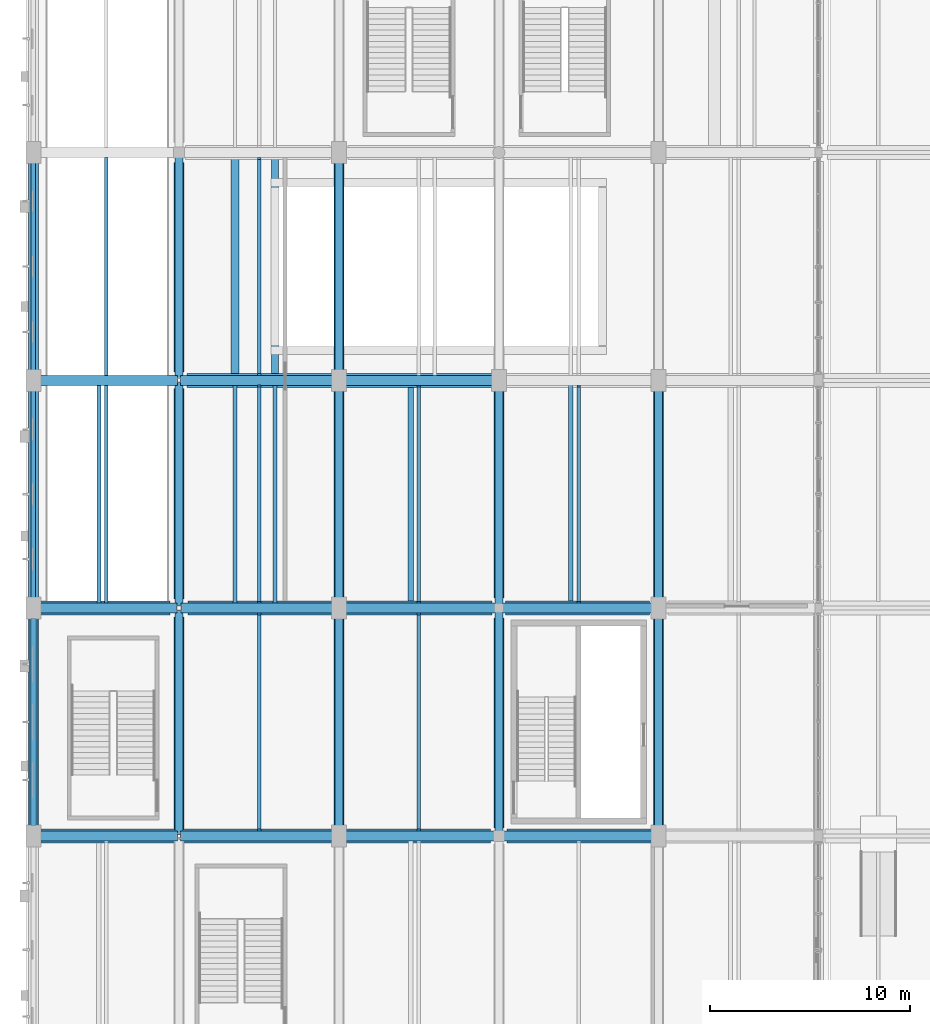
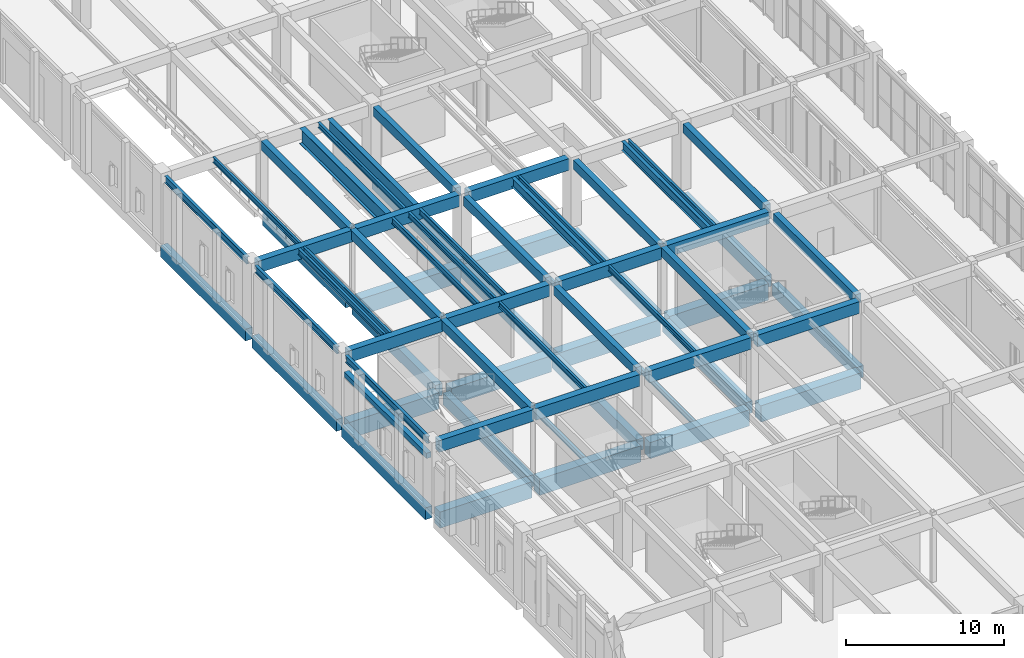
# One storey, part 27 of 113: 69 beams.
"""IFC4 building model written with IfcOpenShell, lengths in metres."""

from ifc_helpers import new_model, si_unit, direction, frame, origin, origin_2d, place, context, subcontext, project, spatial, rectangle, i_section, extrude, material, material_profile, profile_set, type_object, element, save


model = new_model("IFC4")

# Units and contexts
model_context = context("Model", 3, precision=1e-05, world=origin(), true_north=direction((0.0, 1.0)))
body_context = subcontext(model_context, "Body", "Model", "MODEL_VIEW")
ifc_project = project(units=[si_unit("LENGTHUNIT", "METRE"), si_unit("AREAUNIT", "SQUARE_METRE"), si_unit("VOLUMEUNIT", "CUBIC_METRE"), si_unit("PLANEANGLEUNIT", "RADIAN"), si_unit("MASSUNIT", "GRAM", prefix="KILO"), si_unit("POWERUNIT", "WATT"), si_unit("THERMODYNAMICTEMPERATUREUNIT", "KELVIN")], contexts=[model_context])

# Site, building, storey
site_placement = place(None, origin())
site = spatial("IfcSite", under=ifc_project, at=site_placement, CompositionType="ELEMENT")
building_placement = place(site_placement, origin())
building = spatial("IfcBuilding", under=site, at=building_placement, Name="Kelmbourne Parkland Aquatics Centre", CompositionType="ELEMENT")
storey_placement = place(building_placement, origin())
storey = spatial("IfcBuildingStorey", under=building, at=storey_placement, Name="L00", CompositionType="ELEMENT", Elevation=0.0)

# Beams
ifc_material_1 = material(Name="Concrete C40/50", Category="concrete")
ifc_material_profile_1 = material_profile(ifc_material_1, rectangle(XDim=0.5, YDim=0.89990234375, at=origin_2d()), Name="RC 500x900")
ifc_profile_set_1 = profile_set([ifc_material_profile_1], Name="Concrete C40/50")
beam_type_1 = type_object("IfcBeamType", Name="BM-G03", PredefinedType="BEAM", material=ifc_profile_set_1)
beam_1_placement = place(storey_placement, frame((0.699951171875, 35.5048828125, -0.72998046875), z_axis=(0.0, 1.0, 0.0), x_axis=(-1.0, 0.0, 0.0)))
element("IfcBeam", 1, at=beam_1_placement, inside=storey, type_object=beam_type_1, Name="Primary girder 05-06 Grid A (L00)", PredefinedType="BEAM", context=body_context, shape_type="SweptSolid", body=[
    extrude(rectangle(XDim=0.5, YDim=0.89990234375, at=origin_2d()), origin(), (0.0, 0.0, 1.0), 10.565185546875),
])
beam_2_placement = place(storey_placement, frame((0.699951171875, 46.72998046875, -0.72998046875), z_axis=(0.0, 1.0, 0.0), x_axis=(-1.0, 0.0, 0.0)))
element("IfcBeam", 2, at=beam_2_placement, inside=storey, type_object=beam_type_1, Name="Primary girder 06-08 Grid A (L00)", PredefinedType="BEAM", context=body_context, shape_type="SweptSolid", body=[
    extrude(rectangle(XDim=0.5, YDim=0.89990234375, at=origin_2d()), origin(), (0.0, 0.0, 1.0), 10.6650390625),
])
beam_3_placement = place(storey_placement, frame((0.699951171875, 58.205078125, -0.72998046875), z_axis=(0.0, 1.0, 0.0), x_axis=(-1.0, 0.0, 0.0)))
element("IfcBeam", 3, at=beam_3_placement, inside=storey, type_object=beam_type_1, Name="Primary girder 08-10 Grid A (L00)", PredefinedType="BEAM", context=body_context, shape_type="SweptSolid", body=[
    extrude(rectangle(XDim=0.5, YDim=0.89990234375, at=origin_2d()), origin(), (0.0, 0.0, 1.0), 10.71484375),
])
beam_4_placement = place(storey_placement, frame((8.0, 35.280029296875, -0.72998046875), z_axis=(0.0, 1.0, 0.0), x_axis=(-1.0, 0.0, 0.0)))
element("IfcBeam", 4, at=beam_4_placement, inside=storey, type_object=beam_type_1, Name="Primary girder 05-06 Grid B (L00)", PredefinedType="BEAM", context=body_context, shape_type="SweptSolid", body=[
    extrude(rectangle(XDim=0.5, YDim=0.89990234375, at=origin_2d()), origin(), (0.0, 0.0, 1.0), 10.6650390625),
])
beam_5_placement = place(storey_placement, frame((8.0, 46.85498046875, -0.72998046875), z_axis=(0.0, 1.0, 0.0), x_axis=(-1.0, 0.0, 0.0)))
element("IfcBeam", 5, at=beam_5_placement, inside=storey, type_object=beam_type_1, Name="Primary girder 06-08 Grid B (L00)", PredefinedType="BEAM", context=body_context, shape_type="SweptSolid", body=[
    extrude(rectangle(XDim=0.5, YDim=0.89990234375, at=origin_2d()), origin(), (0.0, 0.0, 1.0), 10.5400390625),
])
beam_6_placement = place(storey_placement, frame((8.0, 58.205078125, -0.72998046875), z_axis=(0.0, 1.0, 0.0), x_axis=(-1.0, 0.0, 0.0)))
element("IfcBeam", 6, at=beam_6_placement, inside=storey, type_object=beam_type_1, Name="Primary girder 08-10 Grid B (L00)", PredefinedType="BEAM", context=body_context, shape_type="SweptSolid", body=[
    extrude(rectangle(XDim=0.5, YDim=0.89990234375, at=origin_2d()), origin(), (0.0, 0.0, 1.0), 10.489990234375),
])
beam_7_placement = place(storey_placement, frame((16.0, 35.330078125, -0.72998046875), z_axis=(0.0, 1.0, 0.0), x_axis=(-1.0, 0.0, 0.0)))
element("IfcBeam", 7, at=beam_7_placement, inside=storey, type_object=beam_type_1, Name="Primary girder 05-06 Grid C (L00)", PredefinedType="BEAM", context=body_context, shape_type="SweptSolid", body=[
    extrude(rectangle(XDim=0.5, YDim=0.89990234375, at=origin_2d()), origin(), (0.0, 0.0, 1.0), 10.6650390625),
])
beam_8_placement = place(storey_placement, frame((16.0, 46.804931640625, -0.72998046875), z_axis=(0.0, 1.0, 0.0), x_axis=(-1.0, 0.0, 0.0)))
element("IfcBeam", 8, at=beam_8_placement, inside=storey, type_object=beam_type_1, Name="Primary girder 06-08 Grid C (L00)", PredefinedType="BEAM", context=body_context, shape_type="SweptSolid", body=[
    extrude(rectangle(XDim=0.5, YDim=0.89990234375, at=origin_2d()), origin(), (0.0, 0.0, 1.0), 10.715087890625),
])
beam_9_placement = place(storey_placement, frame((16.0, 58.080078125, -0.72998046875), z_axis=(0.0, 1.0, 0.0), x_axis=(-1.0, 0.0, 0.0)))
element("IfcBeam", 9, at=beam_9_placement, inside=storey, type_object=beam_type_1, Name="Primary girder 08-10 Grid C (L00)", PredefinedType="BEAM", context=body_context, shape_type="SweptSolid", body=[
    extrude(rectangle(XDim=0.5, YDim=0.89990234375, at=origin_2d()), origin(), (0.0, 0.0, 1.0), 10.6650390625),
])
beam_10_placement = place(storey_placement, frame((24.0, 35.405029296875, -0.72998046875), z_axis=(0.0, 1.0, 0.0), x_axis=(-1.0, 0.0, 0.0)))
element("IfcBeam", 10, at=beam_10_placement, inside=storey, type_object=beam_type_1, Name="Primary girder 05-06 Grid D (L00)", PredefinedType="BEAM", context=body_context, shape_type="SweptSolid", body=[
    extrude(rectangle(XDim=0.5, YDim=0.89990234375, at=origin_2d()), origin(), (0.0, 0.0, 1.0), 10.489990234375),
])
beam_11_placement = place(storey_placement, frame((24.0, 46.905029296875, -0.72998046875), z_axis=(0.0, 1.0, 0.0), x_axis=(-1.0, 0.0, 0.0)))
element("IfcBeam", 11, at=beam_11_placement, inside=storey, type_object=beam_type_1, Name="Primary girder 06-08 Grid D (L00)", PredefinedType="BEAM", context=body_context, shape_type="SweptSolid", body=[
    extrude(rectangle(XDim=0.5, YDim=0.89990234375, at=origin_2d()), origin(), (0.0, 0.0, 1.0), 10.56494140625),
])
beam_12_placement = place(storey_placement, frame((32.0, 35.280029296875, -0.72998046875), z_axis=(0.0, 1.0, 0.0), x_axis=(-1.0, 0.0, 0.0)))
element("IfcBeam", 12, at=beam_12_placement, inside=storey, type_object=beam_type_1, Name="Primary girder 05-06 Grid E (L00)", PredefinedType="BEAM", context=body_context, shape_type="SweptSolid", body=[
    extrude(rectangle(XDim=0.5, YDim=0.89990234375, at=origin_2d()), origin(), (0.0, 0.0, 1.0), 10.6650390625),
])
beam_13_placement = place(storey_placement, frame((32.0, 46.85498046875, -0.72998046875), z_axis=(0.0, 1.0, 0.0), x_axis=(-1.0, 0.0, 0.0)))
element("IfcBeam", 13, at=beam_13_placement, inside=storey, type_object=beam_type_1, Name="Primary girder 06-08 Grid E (L00)", PredefinedType="BEAM", context=body_context, shape_type="SweptSolid", body=[
    extrude(rectangle(XDim=0.5, YDim=0.89990234375, at=origin_2d()), origin(), (0.0, 0.0, 1.0), 10.5400390625),
])
beam_14_placement = place(storey_placement, frame((1.030029296875, 35.0, 4.7099609375), z_axis=(1.0, 0.0, 0.0), x_axis=(0.0, 1.0, 0.0)))
element("IfcBeam", 14, at=beam_14_placement, inside=storey, type_object=beam_type_1, Name="Primary girder A-B Grid 05 (L01)", PredefinedType="BEAM", context=body_context, shape_type="SweptSolid", body=[
    extrude(rectangle(XDim=0.5, YDim=0.89990234375, at=origin_2d()), origin(), (0.0, 0.0, 1.0), 6.8984375),
])
beam_15_placement = place(storey_placement, frame((8.071533203125, 35.0, 4.7099609375), z_axis=(1.0, 0.0, 0.0), x_axis=(0.0, 1.0, 0.0)))
element("IfcBeam", 15, at=beam_15_placement, inside=storey, type_object=beam_type_1, Name="Primary girder B-C Grid 05 (L01)", PredefinedType="BEAM", context=body_context, shape_type="SweptSolid", body=[
    extrude(rectangle(XDim=0.5, YDim=0.89990234375, at=origin_2d()), origin(), (0.0, 0.0, 1.0), 7.598388671875),
])
for number, where, z_axis, x_axis, name in (
    (16, (16.330078125, 35.0, 4.7099609375), (1.0, 0.0, 0.0), (0.0, 1.0, 0.0), "Primary girder C-D Grid 05 (L01)"),
    (17, (24.22998046875, 35.0, 4.7099609375), (1.0, 0.0, 0.0), (0.0, 1.0, 0.0), "Primary girder D-E Grid 05 (L01)"),
):
    element("IfcBeam", number, at=place(storey_placement, frame(where, z_axis=z_axis, x_axis=x_axis)), inside=storey, type_object=beam_type_1, Name=name, PredefinedType="BEAM", context=body_context, shape_type="SweptSolid", body=[
        extrude(rectangle(XDim=0.5, YDim=0.89990234375, at=origin_2d()), origin(), (0.0, 0.0, 1.0), 7.43994140625),
    ])
beam_16_placement = place(storey_placement, frame((1.030029296875, 46.39990234375, 4.7099609375), z_axis=(1.0, 0.0, 0.0), x_axis=(0.0, 1.0, 0.0)))
element("IfcBeam", 18, at=beam_16_placement, inside=storey, type_object=beam_type_1, Name="Primary girder A-B Grid 06 (L01)", PredefinedType="BEAM", context=body_context, shape_type="SweptSolid", body=[
    extrude(rectangle(XDim=0.5, YDim=0.89990234375, at=origin_2d()), origin(), (0.0, 0.0, 1.0), 6.864990234375),
])
beam_17_placement = place(storey_placement, frame((8.10498046875, 46.39990234375, 4.7099609375), z_axis=(1.0, 0.0, 0.0), x_axis=(0.0, 1.0, 0.0)))
element("IfcBeam", 19, at=beam_17_placement, inside=storey, type_object=beam_type_1, Name="Primary girder B-C Grid 06 (L01)", PredefinedType="BEAM", context=body_context, shape_type="SweptSolid", body=[
    extrude(rectangle(XDim=0.5, YDim=0.89990234375, at=origin_2d()), origin(), (0.0, 0.0, 1.0), 7.56494140625),
])
for number, where, z_axis, x_axis, name in (
    (20, (16.330078125, 46.39990234375, 4.7099609375), (1.0, 0.0, 0.0), (0.0, 1.0, 0.0), "Primary girder C-D Grid 06 (L01)"),
    (21, (24.179931640625, 46.39990234375, 4.7099609375), (1.0, 0.0, 0.0), (0.0, 1.0, 0.0), "Primary girder D-E Grid 06 (L01)"),
):
    element("IfcBeam", number, at=place(storey_placement, frame(where, z_axis=z_axis, x_axis=x_axis)), inside=storey, type_object=beam_type_1, Name=name, PredefinedType="BEAM", context=body_context, shape_type="SweptSolid", body=[
        extrude(rectangle(XDim=0.5, YDim=0.89990234375, at=origin_2d()), origin(), (0.0, 0.0, 1.0), 7.489990234375),
    ])
beam_18_placement = place(storey_placement, frame((1.030029296875, 57.800048828125, 4.7099609375), z_axis=(1.0, 0.0, 0.0), x_axis=(0.0, 1.0, 0.0)))
element("IfcBeam", 22, at=beam_18_placement, inside=storey, type_object=beam_type_1, Name="Primary girder A-B Grid 08 (L01)", PredefinedType="BEAM", context=body_context, shape_type="SweptSolid", body=[
    extrude(rectangle(XDim=0.5, YDim=0.89990234375, at=origin_2d()), origin(), (0.0, 0.0, 1.0), 6.889892578125),
])
beam_19_placement = place(storey_placement, frame((8.080078125, 57.800048828125, 4.7099609375), z_axis=(1.0, 0.0, 0.0), x_axis=(0.0, 1.0, 0.0)))
element("IfcBeam", 23, at=beam_19_placement, inside=storey, type_object=beam_type_1, Name="Primary girder B-C Grid 08 (L01)", PredefinedType="BEAM", context=body_context, shape_type="SweptSolid", body=[
    extrude(rectangle(XDim=0.5, YDim=0.89990234375, at=origin_2d()), origin(), (0.0, 0.0, 1.0), 7.58984375),
])
beam_20_placement = place(storey_placement, frame((16.330078125, 57.800048828125, 4.7099609375), z_axis=(1.0, 0.0, 0.0), x_axis=(0.0, 1.0, 0.0)))
element("IfcBeam", 24, at=beam_20_placement, inside=storey, type_object=beam_type_1, Name="Primary girder C-D Grid 08 (L01)", PredefinedType="BEAM", context=body_context, shape_type="SweptSolid", body=[
    extrude(rectangle(XDim=0.5, YDim=0.89990234375, at=origin_2d()), origin(), (0.0, 0.0, 1.0), 7.33984375),
])
ifc_material_profile_2 = material_profile(ifc_material_1, rectangle(XDim=0.39990234375, YDim=0.699951171875, at=origin_2d()), Name="RC 400x700")
ifc_profile_set_2 = profile_set([ifc_material_profile_2], Name="Concrete C40/50")
beam_type_2 = type_object("IfcBeamType", Name="BM-G05", PredefinedType="BEAM", material=ifc_profile_set_2)
beam_21_placement = place(storey_placement, frame((8.0, 35.071533203125, 4.81005859375), z_axis=(0.0, 1.0, 0.0), x_axis=(-1.0, 0.0, 0.0)))
element("IfcBeam", 25, at=beam_21_placement, inside=storey, type_object=beam_type_2, Name="Primary girder 05-06 Grid B (L01)", PredefinedType="BEAM", context=body_context, shape_type="SweptSolid", body=[
    extrude(rectangle(XDim=0.39990234375, YDim=0.699951171875, at=origin_2d()), origin(), (0.0, 0.0, 1.0), 11.223388671875),
])
beam_22_placement = place(storey_placement, frame((8.0, 46.5048828125, 4.81005859375), z_axis=(0.0, 1.0, 0.0), x_axis=(-1.0, 0.0, 0.0)))
element("IfcBeam", 26, at=beam_22_placement, inside=storey, type_object=beam_type_2, Name="Primary girder 06-08 Grid B (L01)", PredefinedType="BEAM", context=body_context, shape_type="SweptSolid", body=[
    extrude(rectangle(XDim=0.39990234375, YDim=0.699951171875, at=origin_2d()), origin(), (0.0, 0.0, 1.0), 11.215087890625),
])
beam_23_placement = place(storey_placement, frame((8.0, 57.8798828125, 4.81005859375), z_axis=(0.0, 1.0, 0.0), x_axis=(-1.0, 0.0, 0.0)))
element("IfcBeam", 27, at=beam_23_placement, inside=storey, type_object=beam_type_2, Name="Primary girder 08-10 Grid B (L01)", PredefinedType="BEAM", context=body_context, shape_type="SweptSolid", body=[
    extrude(rectangle(XDim=0.39990234375, YDim=0.699951171875, at=origin_2d()), origin(), (0.0, 0.0, 1.0), 11.090087890625),
])
beam_24_placement = place(storey_placement, frame((16.0, 35.5048828125, 4.81005859375), z_axis=(0.0, 1.0, 0.0), x_axis=(-1.0, 0.0, 0.0)))
element("IfcBeam", 28, at=beam_24_placement, inside=storey, type_object=beam_type_2, Name="Primary girder 05-06 Grid C (L01)", PredefinedType="BEAM", context=body_context, shape_type="SweptSolid", body=[
    extrude(rectangle(XDim=0.39990234375, YDim=0.699951171875, at=origin_2d()), origin(), (0.0, 0.0, 1.0), 10.39013671875),
])
beam_25_placement = place(storey_placement, frame((16.0, 46.905029296875, 4.81005859375), z_axis=(0.0, 1.0, 0.0), x_axis=(-1.0, 0.0, 0.0)))
element("IfcBeam", 29, at=beam_25_placement, inside=storey, type_object=beam_type_2, Name="Primary girder 06-08 Grid C (L01)", PredefinedType="BEAM", context=body_context, shape_type="SweptSolid", body=[
    extrude(rectangle(XDim=0.39990234375, YDim=0.699951171875, at=origin_2d()), origin(), (0.0, 0.0, 1.0), 10.389892578125),
])
beam_26_placement = place(storey_placement, frame((16.0, 58.304931640625, 4.81005859375), z_axis=(0.0, 1.0, 0.0), x_axis=(-1.0, 0.0, 0.0)))
element("IfcBeam", 30, at=beam_26_placement, inside=storey, type_object=beam_type_2, Name="Primary girder 08-10 Grid C (L01)", PredefinedType="BEAM", context=body_context, shape_type="SweptSolid", body=[
    extrude(rectangle(XDim=0.39990234375, YDim=0.699951171875, at=origin_2d()), origin(), (0.0, 0.0, 1.0), 10.39013671875),
])
beam_27_placement = place(storey_placement, frame((24.0, 35.22998046875, 4.81005859375), z_axis=(0.0, 1.0, 0.0), x_axis=(-1.0, 0.0, 0.0)))
element("IfcBeam", 31, at=beam_27_placement, inside=storey, type_object=beam_type_2, Name="Primary girder 05-06 Grid D (L01)", PredefinedType="BEAM", context=body_context, shape_type="SweptSolid", body=[
    extrude(rectangle(XDim=0.39990234375, YDim=0.699951171875, at=origin_2d()), origin(), (0.0, 0.0, 1.0), 10.989990234375),
])
beam_28_placement = place(storey_placement, frame((24.0, 46.580078125, 4.81005859375), z_axis=(0.0, 1.0, 0.0), x_axis=(-1.0, 0.0, 0.0)))
element("IfcBeam", 32, at=beam_28_placement, inside=storey, type_object=beam_type_2, Name="Primary girder 06-08 Grid D (L01)", PredefinedType="BEAM", context=body_context, shape_type="SweptSolid", body=[
    extrude(rectangle(XDim=0.39990234375, YDim=0.699951171875, at=origin_2d()), origin(), (0.0, 0.0, 1.0), 10.71484375),
])
beam_29_placement = place(storey_placement, frame((32.0, 35.5048828125, 4.81005859375), z_axis=(0.0, 1.0, 0.0), x_axis=(-1.0, 0.0, 0.0)))
element("IfcBeam", 33, at=beam_29_placement, inside=storey, type_object=beam_type_2, Name="Primary girder 05-06 Grid E (L01)", PredefinedType="BEAM", context=body_context, shape_type="SweptSolid", body=[
    extrude(rectangle(XDim=0.39990234375, YDim=0.699951171875, at=origin_2d()), origin(), (0.0, 0.0, 1.0), 10.39013671875),
])
beam_30_placement = place(storey_placement, frame((32.0, 46.905029296875, 4.81005859375), z_axis=(0.0, 1.0, 0.0), x_axis=(-1.0, 0.0, 0.0)))
element("IfcBeam", 34, at=beam_30_placement, inside=storey, type_object=beam_type_2, Name="Primary girder 06-08 Grid E (L01)", PredefinedType="BEAM", context=body_context, shape_type="SweptSolid", body=[
    extrude(rectangle(XDim=0.39990234375, YDim=0.699951171875, at=origin_2d()), origin(), (0.0, 0.0, 1.0), 10.389892578125),
])
ifc_material_2 = material(Name="Concrete C50/60", Category="concrete")
ifc_material_profile_3 = material_profile(ifc_material_2, rectangle(XDim=0.699951171875, YDim=1.25, at=origin_2d()), Name="RC 700x1250")
ifc_profile_set_3 = profile_set([ifc_material_profile_3], Name="Concrete C50/60")
beam_type_3 = type_object("IfcBeamType", Name="BM-G08", PredefinedType="BEAM", material=ifc_profile_set_3)
beam_31_placement = place(storey_placement, frame((1.030029296875, 35.0, -0.905029296875), z_axis=(1.0, 0.0, 0.0), x_axis=(0.0, 1.0, 0.0)))
element("IfcBeam", 35, at=beam_31_placement, inside=storey, type_object=beam_type_3, Name="Primary girder A-B Grid 05 (L00)", PredefinedType="BEAM", context=body_context, shape_type="SweptSolid", body=[
    extrude(rectangle(XDim=0.699951171875, YDim=1.25, at=origin_2d()), origin(), (0.0, 0.0, 1.0), 6.68994140625),
])
beam_32_placement = place(storey_placement, frame((8.280029296875, 35.0, -0.905029296875), z_axis=(1.0, 0.0, 0.0), x_axis=(0.0, 1.0, 0.0)))
element("IfcBeam", 36, at=beam_32_placement, inside=storey, type_object=beam_type_3, Name="Primary girder B-C Grid 05 (L00)", PredefinedType="BEAM", context=body_context, shape_type="SweptSolid", body=[
    extrude(rectangle(XDim=0.699951171875, YDim=1.25, at=origin_2d()), origin(), (0.0, 0.0, 1.0), 7.389892578125),
])
beam_33_placement = place(storey_placement, frame((16.330078125, 35.0, -0.905029296875), z_axis=(1.0, 0.0, 0.0), x_axis=(0.0, 1.0, 0.0)))
element("IfcBeam", 37, at=beam_33_placement, inside=storey, type_object=beam_type_3, Name="Primary girder C-D Grid 05 (L00)", PredefinedType="BEAM", context=body_context, shape_type="SweptSolid", body=[
    extrude(rectangle(XDim=0.699951171875, YDim=1.25, at=origin_2d()), origin(), (0.0, 0.0, 1.0), 7.264892578125),
])
beam_34_placement = place(storey_placement, frame((24.405029296875, 35.0, -0.905029296875), z_axis=(1.0, 0.0, 0.0), x_axis=(0.0, 1.0, 0.0)))
element("IfcBeam", 38, at=beam_34_placement, inside=storey, type_object=beam_type_3, Name="Primary girder D-E Grid 05 (L00)", PredefinedType="BEAM", context=body_context, shape_type="SweptSolid", body=[
    extrude(rectangle(XDim=0.699951171875, YDim=1.25, at=origin_2d()), origin(), (0.0, 0.0, 1.0), 7.31494140625),
])
beam_35_placement = place(storey_placement, frame((1.030029296875, 46.39990234375, -0.905029296875), z_axis=(1.0, 0.0, 0.0), x_axis=(0.0, 1.0, 0.0)))
element("IfcBeam", 39, at=beam_35_placement, inside=storey, type_object=beam_type_3, Name="Primary girder A-B Grid 06 (L00)", PredefinedType="BEAM", context=body_context, shape_type="SweptSolid", body=[
    extrude(rectangle(XDim=0.699951171875, YDim=1.25, at=origin_2d()), origin(), (0.0, 0.0, 1.0), 6.514892578125),
])
beam_36_placement = place(storey_placement, frame((8.455078125, 46.39990234375, -0.905029296875), z_axis=(1.0, 0.0, 0.0), x_axis=(0.0, 1.0, 0.0)))
element("IfcBeam", 40, at=beam_36_placement, inside=storey, type_object=beam_type_3, Name="Primary girder B-C Grid 06 (L00)", PredefinedType="BEAM", context=body_context, shape_type="SweptSolid", body=[
    extrude(rectangle(XDim=0.699951171875, YDim=1.25, at=origin_2d()), origin(), (0.0, 0.0, 1.0), 7.2900390625),
])
beam_37_placement = place(storey_placement, frame((16.2548828125, 46.39990234375, -0.905029296875), z_axis=(1.0, 0.0, 0.0), x_axis=(0.0, 1.0, 0.0)))
element("IfcBeam", 41, at=beam_37_placement, inside=storey, type_object=beam_type_3, Name="Primary girder C-D Grid 06 (L00)", PredefinedType="BEAM", context=body_context, shape_type="SweptSolid", body=[
    extrude(rectangle(XDim=0.699951171875, YDim=1.25, at=origin_2d()), origin(), (0.0, 0.0, 1.0), 7.4150390625),
])
beam_38_placement = place(storey_placement, frame((24.330078125, 46.39990234375, -0.905029296875), z_axis=(1.0, 0.0, 0.0), x_axis=(0.0, 1.0, 0.0)))
element("IfcBeam", 42, at=beam_38_placement, inside=storey, type_object=beam_type_3, Name="Primary girder D-E Grid 06 (L00)", PredefinedType="BEAM", context=body_context, shape_type="SweptSolid", body=[
    extrude(rectangle(XDim=0.699951171875, YDim=1.25, at=origin_2d()), origin(), (0.0, 0.0, 1.0), 7.21484375),
])
beam_39_placement = place(storey_placement, frame((8.405029296875, 57.800048828125, -0.905029296875), z_axis=(1.0, 0.0, 0.0), x_axis=(0.0, 1.0, 0.0)))
element("IfcBeam", 43, at=beam_39_placement, inside=storey, type_object=beam_type_3, Name="Primary girder B-C Grid 08 (L00)", PredefinedType="BEAM", context=body_context, shape_type="SweptSolid", body=[
    extrude(rectangle(XDim=0.699951171875, YDim=1.25, at=origin_2d()), origin(), (0.0, 0.0, 1.0), 7.31494140625),
])
beam_40_placement = place(storey_placement, frame((16.280029296875, 57.800048828125, -0.905029296875), z_axis=(1.0, 0.0, 0.0), x_axis=(0.0, 1.0, 0.0)))
element("IfcBeam", 44, at=beam_40_placement, inside=storey, type_object=beam_type_3, Name="Primary girder C-D Grid 08 (L00)", PredefinedType="BEAM", context=body_context, shape_type="SweptSolid", body=[
    extrude(rectangle(XDim=0.699951171875, YDim=1.25, at=origin_2d()), origin(), (0.0, 0.0, 1.0), 7.389892578125),
])
ifc_material_3 = material(Name="Structural steel AS/NZS 3679.1 Grade 300", Category="steel")
ifc_material_profile_4 = material_profile(ifc_material_3, i_section(OverallWidth=0.177978515625, OverallDepth=0.406005859375, WebThickness=0.0078125, FlangeThickness=0.0126953125, at=origin_2d()), Name="410UB59.7")
ifc_profile_set_4 = profile_set([ifc_material_profile_4], Name="Structural steel AS/NZS 3679.1 Grade 300")
beam_type_4 = type_object("IfcBeamType", Name="BM-J01", PredefinedType="JOIST", material=ifc_profile_set_4)
for number, where, z_axis, x_axis, name in (
    (45, (12.0, 35.342041015625, -0.48291015625), (0.0, 1.0, 0.0), (-1.0, 0.0, 0.0), "Secondary floor joist B-C/05-06 #1 (L00)"),
    (46, (12.0, 46.741943359375, -0.48291015625), (0.0, 1.0, 0.0), (-1.0, 0.0, 0.0), "Secondary floor joist B-C/06-08 #1 (L00)"),
):
    element("IfcBeam", number, at=place(storey_placement, frame(where, z_axis=z_axis, x_axis=x_axis)), inside=storey, type_object=beam_type_4, Name=name, PredefinedType="JOIST", context=body_context, shape_type="SweptSolid", body=[
        extrude(i_section(OverallWidth=0.177978515625, OverallDepth=0.406005859375, WebThickness=0.0078125, FlangeThickness=0.0126953125, at=origin_2d()), origin(), (0.0, 0.0, 1.0), 10.716064453125),
    ])
beam_41_placement = place(storey_placement, frame((12.0, 58.14208984375, -0.48291015625), z_axis=(0.0, 1.0, 0.0), x_axis=(-1.0, 0.0, 0.0)))
element("IfcBeam", 47, at=beam_41_placement, inside=storey, type_object=beam_type_4, Name="Secondary floor joist B-C/08-10 #1 (L00)", PredefinedType="JOIST", context=body_context, shape_type="SweptSolid", body=[
    extrude(i_section(OverallWidth=0.177978515625, OverallDepth=0.406005859375, WebThickness=0.0078125, FlangeThickness=0.0126953125, at=origin_2d()), origin(), (0.0, 0.0, 1.0), 10.7158203125),
])
for number, where, z_axis, x_axis, name in (
    (48, (20.0, 35.342041015625, -0.48291015625), (0.0, 1.0, 0.0), (-1.0, 0.0, 0.0), "Secondary floor joist C-D/05-06 #1 (L00)"),
    (49, (20.0, 46.741943359375, -0.48291015625), (0.0, 1.0, 0.0), (-1.0, 0.0, 0.0), "Secondary floor joist C-D/06-08 #1 (L00)"),
    (50, (28.0, 46.741943359375, -0.48291015625), (0.0, 1.0, 0.0), (-1.0, 0.0, 0.0), "Secondary floor joist D-E/06-08 #1 (L00)"),
):
    element("IfcBeam", number, at=place(storey_placement, frame(where, z_axis=z_axis, x_axis=x_axis)), inside=storey, type_object=beam_type_4, Name=name, PredefinedType="JOIST", context=body_context, shape_type="SweptSolid", body=[
        extrude(i_section(OverallWidth=0.177978515625, OverallDepth=0.406005859375, WebThickness=0.0078125, FlangeThickness=0.0126953125, at=origin_2d()), origin(), (0.0, 0.0, 1.0), 10.716064453125),
    ])
for number, where, z_axis, x_axis, name in (
    (51, (4.35009765625, 46.64208984375, 4.95703125), (0.0, 1.0, 0.0), (-1.0, 0.0, 0.0), "Secondary floor joist A-B/06-08 #1 (L01)"),
    (52, (4.35009765625, 58.0419921875, 4.95703125), (0.0, 1.0, 0.0), (-1.0, 0.0, 0.0), "Secondary floor joist A-B/08-10 #1 (L01)"),
    (53, (12.0, 35.241943359375, 4.95703125), (0.0, 1.0, 0.0), (-1.0, 0.0, 0.0), "Secondary floor joist B-C/05-06 #1 (L01)"),
    (54, (12.0, 46.64208984375, 4.95703125), (0.0, 1.0, 0.0), (-1.0, 0.0, 0.0), "Secondary floor joist B-C/06-08 #1 (L01)"),
    (55, (12.0, 58.0419921875, 4.95703125), (0.0, 1.0, 0.0), (-1.0, 0.0, 0.0), "Secondary floor joist B-C/08-10 #1 (L01)"),
    (56, (20.0, 35.241943359375, 4.95703125), (0.0, 1.0, 0.0), (-1.0, 0.0, 0.0), "Secondary floor joist C-D/05-06 #1 (L01)"),
    (57, (20.0, 46.64208984375, 4.95703125), (0.0, 1.0, 0.0), (-1.0, 0.0, 0.0), "Secondary floor joist C-D/06-08 #1 (L01)"),
    (58, (28.0, 46.64208984375, 4.95703125), (0.0, 1.0, 0.0), (-1.0, 0.0, 0.0), "Secondary floor joist D-E/06-08 #1 (L01)"),
):
    element("IfcBeam", number, at=place(storey_placement, frame(where, z_axis=z_axis, x_axis=x_axis)), inside=storey, type_object=beam_type_4, Name=name, PredefinedType="JOIST", context=body_context, shape_type="SweptSolid", body=[
        extrude(i_section(OverallWidth=0.177978515625, OverallDepth=0.406005859375, WebThickness=0.0078125, FlangeThickness=0.0126953125, at=origin_2d()), origin(), (0.0, 0.0, 1.0), 10.916015625),
    ])
ifc_material_profile_5 = material_profile(ifc_material_3, rectangle(XDim=0.35009765625, YDim=0.39990234375, at=origin_2d()), Name="LNT 350x400")
ifc_profile_set_5 = profile_set([ifc_material_profile_5], Name="Structural steel AS/NZS 3679.1 Grade 300")
beam_type_5 = type_object("IfcBeamType", Name="BM-LN02", PredefinedType="LINTEL", material=ifc_profile_set_5)
beam_42_placement = place(storey_placement, frame((0.699951171875, 35.5048828125, 3.699951171875), z_axis=(0.0, 1.0, 0.0), x_axis=(-1.0, 0.0, 0.0)))
element("IfcBeam", 59, at=beam_42_placement, inside=storey, type_object=beam_type_5, Name="Masonry opening lintel W-03", PredefinedType="LINTEL", context=body_context, shape_type="SweptSolid", body=[
    extrude(rectangle(XDim=0.35009765625, YDim=0.39990234375, at=origin_2d()), origin(), (0.0, 0.0, 1.0), 10.39013671875),
])
ifc_material_profile_6 = material_profile(ifc_material_3, i_section(OverallWidth=0.19091796875, OverallDepth=0.4599609375, WebThickness=0.010009765625, FlangeThickness=0.01611328125, at=origin_2d()), Name="460UB82.1")
ifc_profile_set_6 = profile_set([ifc_material_profile_6], Name="Structural steel AS/NZS 3679.1 Grade 300")
beam_type_6 = type_object("IfcBeamType", Name="BM-S04", PredefinedType="BEAM", material=ifc_profile_set_6)
beam_43_placement = place(storey_placement, frame((3.985107421875, 46.64208984375, 4.929931640625), z_axis=(0.0, 1.0, 0.0), x_axis=(-1.0, 0.0, 0.0)))
element("IfcBeam", 60, at=beam_43_placement, inside=storey, type_object=beam_type_6, Name="Deck secondary trim beam 04", PredefinedType="BEAM", context=body_context, shape_type="SweptSolid", body=[
    extrude(i_section(OverallWidth=0.19091796875, OverallDepth=0.4599609375, WebThickness=0.010009765625, FlangeThickness=0.01611328125, at=origin_2d()), origin(), (0.0, 0.0, 1.0), 10.916015625),
])
ifc_material_profile_7 = material_profile(ifc_material_3, i_section(OverallWidth=0.18994140625, OverallDepth=0.45703125, WebThickness=0.009033203125, FlangeThickness=0.014404296875, at=origin_2d()), Name="460UB74.6")
ifc_profile_set_7 = profile_set([ifc_material_profile_7], Name="Structural steel AS/NZS 3679.1 Grade 300")
beam_type_7 = type_object("IfcBeamType", Name="BM-S05", PredefinedType="BEAM", material=ifc_profile_set_7)
beam_44_placement = place(storey_placement, frame((12.800048828125, 46.64208984375, 4.931396484375), z_axis=(0.0, 1.0, 0.0), x_axis=(-1.0, 0.0, 0.0)))
element("IfcBeam", 61, at=beam_44_placement, inside=storey, type_object=beam_type_7, Name="Deck secondary trim beam 05", PredefinedType="BEAM", context=body_context, shape_type="SweptSolid", body=[
    extrude(i_section(OverallWidth=0.18994140625, OverallDepth=0.45703125, WebThickness=0.009033203125, FlangeThickness=0.014404296875, at=origin_2d()), origin(), (0.0, 0.0, 1.0), 10.916015625),
])
ifc_material_4 = material(Name="Welded plate steel AS/NZS 3678 Grade 350", Category="steel")
ifc_material_profile_8 = material_profile(ifc_material_4, i_section(OverallWidth=0.27490234375, OverallDepth=0.716064453125, WebThickness=0.011962890625, FlangeThickness=0.02490234375, at=origin_2d()), Name="700WB173")
ifc_profile_set_8 = profile_set([ifc_material_profile_8], Name="Welded plate steel AS/NZS 3678 Grade 350")
beam_type_8 = type_object("IfcBeamType", Name="BM-S06", PredefinedType="BEAM", material=ifc_profile_set_8)
beam_45_placement = place(storey_placement, frame((19.60009765625, 46.64208984375, 4.802001953125), z_axis=(0.0, 1.0, 0.0), x_axis=(-1.0, 0.0, 0.0)))
element("IfcBeam", 62, at=beam_45_placement, inside=storey, type_object=beam_type_8, Name="Deck secondary trim beam 06", PredefinedType="BEAM", context=body_context, shape_type="SweptSolid", body=[
    extrude(i_section(OverallWidth=0.27490234375, OverallDepth=0.716064453125, WebThickness=0.011962890625, FlangeThickness=0.02490234375, at=origin_2d()), origin(), (0.0, 0.0, 1.0), 10.916015625),
])
ifc_material_profile_9 = material_profile(ifc_material_4, i_section(OverallWidth=0.25, OverallDepth=0.699951171875, WebThickness=0.010009765625, FlangeThickness=0.02001953125, at=origin_2d()), Name="700WB130")
ifc_profile_set_9 = profile_set([ifc_material_profile_9], Name="Welded plate steel AS/NZS 3678 Grade 350")
beam_type_9 = type_object("IfcBeamType", Name="BM-S07", PredefinedType="BEAM", material=ifc_profile_set_9)
beam_46_placement = place(storey_placement, frame((27.60009765625, 46.64208984375, 4.81005859375), z_axis=(0.0, 1.0, 0.0), x_axis=(-1.0, 0.0, 0.0)))
element("IfcBeam", 63, at=beam_46_placement, inside=storey, type_object=beam_type_9, Name="Deck secondary trim beam 07", PredefinedType="BEAM", context=body_context, shape_type="SweptSolid", body=[
    extrude(i_section(OverallWidth=0.25, OverallDepth=0.699951171875, WebThickness=0.010009765625, FlangeThickness=0.02001953125, at=origin_2d()), origin(), (0.0, 0.0, 1.0), 10.916015625),
])
ifc_material_profile_10 = material_profile(ifc_material_4, i_section(OverallWidth=0.35009765625, OverallDepth=1.010009765625, WebThickness=0.01611328125, FlangeThickness=0.02490234375, at=origin_2d()), Name="1000WB258")
ifc_profile_set_10 = profile_set([ifc_material_profile_10], Name="Welded plate steel AS/NZS 3678 Grade 350")
beam_type_10 = type_object("IfcBeamType", Name="BM-S10", PredefinedType="BEAM", material=ifc_profile_set_10)
beam_47_placement = place(storey_placement, frame((12.800048828125, 58.0419921875, 4.655029296875), z_axis=(0.0, 1.0, 0.0), x_axis=(-1.0, 0.0, 0.0)))
element("IfcBeam", 64, at=beam_47_placement, inside=storey, type_object=beam_type_10, Name="Deck secondary trim beam 09", PredefinedType="BEAM", context=body_context, shape_type="SweptSolid", body=[
    extrude(i_section(OverallWidth=0.35009765625, OverallDepth=1.010009765625, WebThickness=0.01611328125, FlangeThickness=0.02490234375, at=origin_2d()), origin(), (0.0, 0.0, 1.0), 10.916015625),
])
ifc_material_profile_11 = material_profile(ifc_material_4, i_section(OverallWidth=0.39990234375, OverallDepth=1.19189453125, WebThickness=0.01611328125, FlangeThickness=0.031982421875, at=origin_2d()), Name="1200WB342")
ifc_profile_set_11 = profile_set([ifc_material_profile_11], Name="Welded plate steel AS/NZS 3678 Grade 350")
beam_type_11 = type_object("IfcBeamType", Name="BM-S11", PredefinedType="BEAM", material=ifc_profile_set_11)
beam_48_placement = place(storey_placement, frame((10.800048828125, 58.0419921875, 4.56396484375), z_axis=(0.0, 1.0, 0.0), x_axis=(-1.0, 0.0, 0.0)))
element("IfcBeam", 65, at=beam_48_placement, inside=storey, type_object=beam_type_11, Name="Deck secondary trim beam 10", PredefinedType="BEAM", context=body_context, shape_type="SweptSolid", body=[
    extrude(i_section(OverallWidth=0.39990234375, OverallDepth=1.19189453125, WebThickness=0.01611328125, FlangeThickness=0.031982421875, at=origin_2d()), origin(), (0.0, 0.0, 1.0), 10.916015625),
])
ifc_material_profile_12 = material_profile(ifc_material_3, i_section(OverallWidth=0.19091796875, OverallDepth=0.4599609375, WebThickness=0.010009765625, FlangeThickness=0.01611328125, at=origin_2d()), Name="460UB82.1")
ifc_profile_set_12 = profile_set([ifc_material_profile_12], Name="Structural steel AS/NZS 3679.1 Grade 300")
beam_type_12 = type_object("IfcBeamType", Name="BM-SP01", PredefinedType="SPANDREL", material=ifc_profile_set_12)
beam_49_placement = place(storey_placement, frame((10.800048828125, 46.64208984375, 4.929931640625), z_axis=(0.0, 1.0, 0.0), x_axis=(-1.0, 0.0, 0.0)))
element("IfcBeam", 66, at=beam_49_placement, inside=storey, type_object=beam_type_12, Name="Deck secondary trim beam 23", PredefinedType="SPANDREL", context=body_context, shape_type="SweptSolid", body=[
    extrude(i_section(OverallWidth=0.19091796875, OverallDepth=0.4599609375, WebThickness=0.010009765625, FlangeThickness=0.01611328125, at=origin_2d()), origin(), (0.0, 0.0, 1.0), 10.916015625),
])
ifc_material_profile_13 = material_profile(ifc_material_3, i_section(OverallWidth=0.208984375, OverallDepth=0.532958984375, WebThickness=0.01025390625, FlangeThickness=0.015625, at=origin_2d()), Name="530UB92.4")
ifc_profile_set_13 = profile_set([ifc_material_profile_13], Name="Structural steel AS/NZS 3679.1 Grade 300")
beam_type_13 = type_object("IfcBeamType", Name="BM-SP02", PredefinedType="SPANDREL", material=ifc_profile_set_13)
beam_50_placement = place(storey_placement, frame((0.699951171875, 35.5048828125, 4.8935546875), z_axis=(0.0, 1.0, 0.0), x_axis=(-1.0, 0.0, 0.0)))
element("IfcBeam", 67, at=beam_50_placement, inside=storey, type_object=beam_type_13, Name="Perimeter spandrel 05-06 Grid A (L01)", PredefinedType="SPANDREL", context=body_context, shape_type="SweptSolid", body=[
    extrude(i_section(OverallWidth=0.208984375, OverallDepth=0.532958984375, WebThickness=0.01025390625, FlangeThickness=0.015625, at=origin_2d()), origin(), (0.0, 0.0, 1.0), 10.39013671875),
])
beam_51_placement = place(storey_placement, frame((0.699951171875, 46.905029296875, 4.8935546875), z_axis=(0.0, 1.0, 0.0), x_axis=(-1.0, 0.0, 0.0)))
element("IfcBeam", 68, at=beam_51_placement, inside=storey, type_object=beam_type_13, Name="Perimeter spandrel 06-08 Grid A (L01)", PredefinedType="SPANDREL", context=body_context, shape_type="SweptSolid", body=[
    extrude(i_section(OverallWidth=0.208984375, OverallDepth=0.532958984375, WebThickness=0.01025390625, FlangeThickness=0.015625, at=origin_2d()), origin(), (0.0, 0.0, 1.0), 10.389892578125),
])
beam_52_placement = place(storey_placement, frame((0.699951171875, 58.304931640625, 4.8935546875), z_axis=(0.0, 1.0, 0.0), x_axis=(-1.0, 0.0, 0.0)))
element("IfcBeam", 69, at=beam_52_placement, inside=storey, type_object=beam_type_13, Name="Perimeter spandrel 08-10 Grid A (L01)", PredefinedType="SPANDREL", context=body_context, shape_type="SweptSolid", body=[
    extrude(i_section(OverallWidth=0.208984375, OverallDepth=0.532958984375, WebThickness=0.01025390625, FlangeThickness=0.015625, at=origin_2d()), origin(), (0.0, 0.0, 1.0), 10.39013671875),
])

save(model, "model.ifc")
